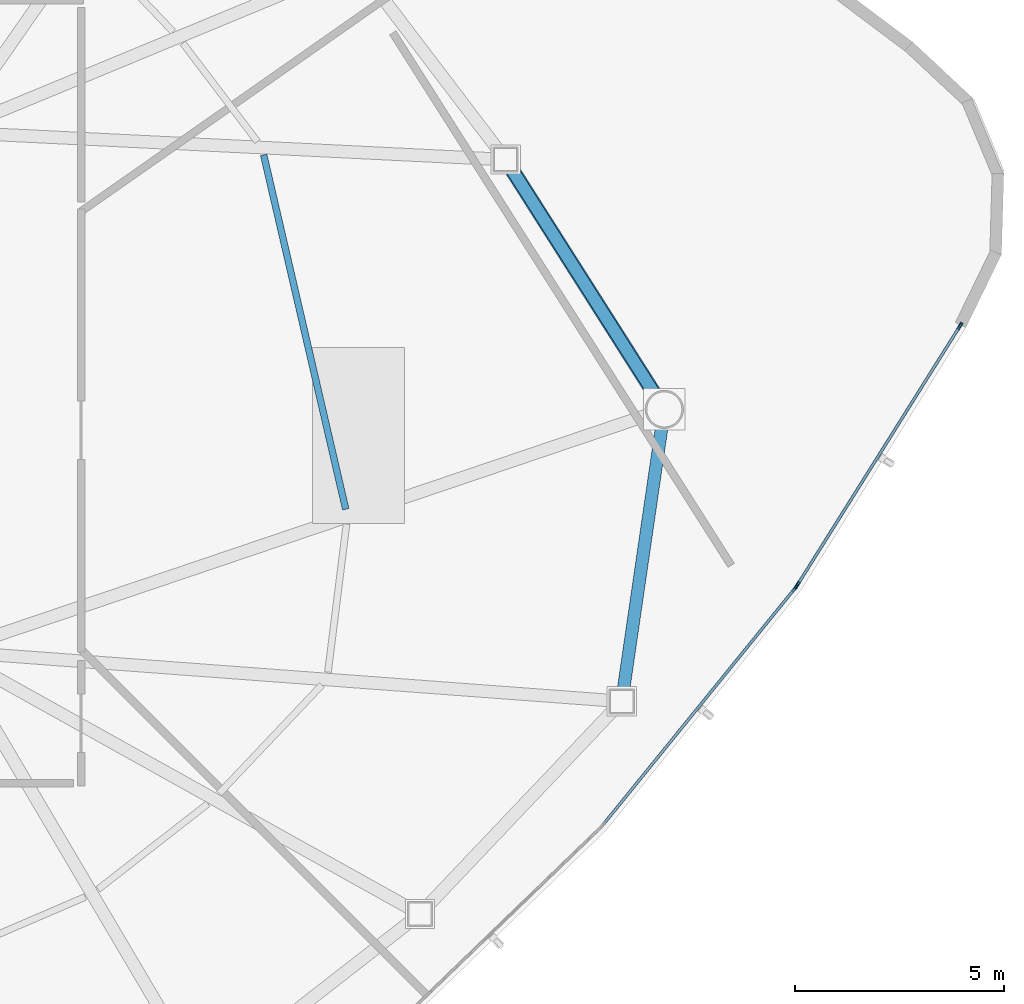
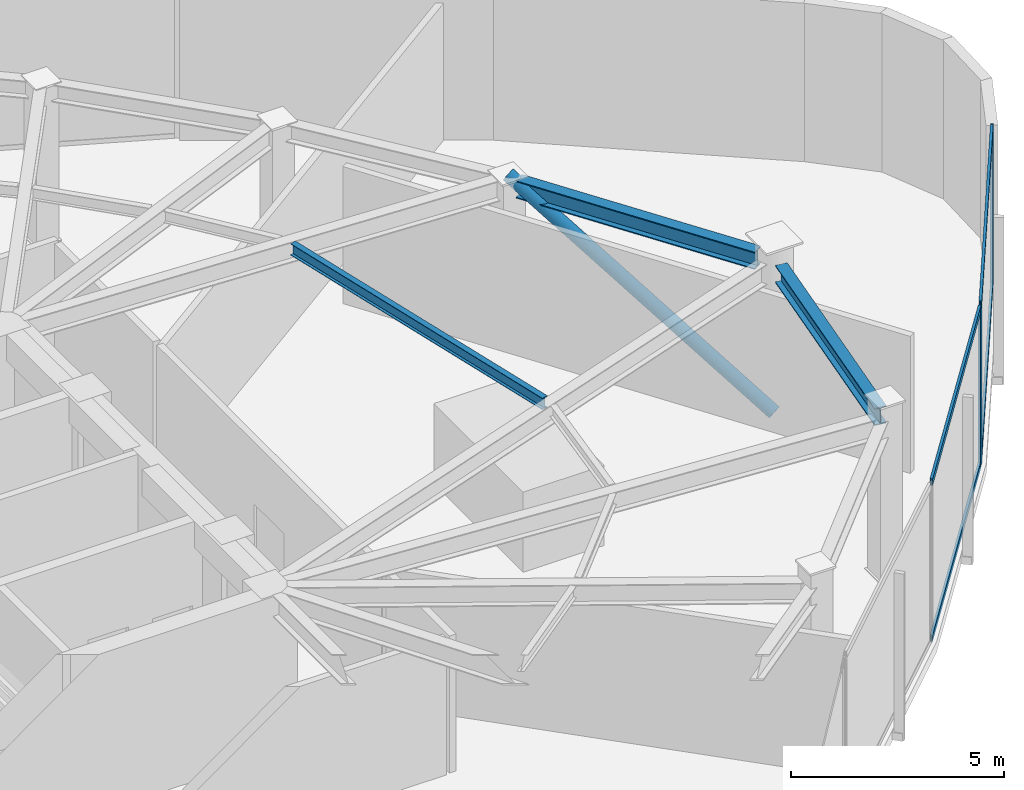
# One storey, part 6 of 17: 8 members, 3 beams, 2 elements without a shape of their own.
"""IFC4 building model written with IfcOpenShell, lengths in metres."""

from ifc_helpers import new_model, si_unit, direction, frame, origin, origin_2d, place, context, subcontext, project, spatial, hollow_rectangle, hollow_circle, i_section, extrude, source, transform, mapped, material, layer, layer_set, material_profile, profile_set, type_object, type_shapes, element, aggregate, save


model = new_model("IFC4")

# Units and contexts
model_context = context("Model", 3, precision=1e-05, world=origin(), true_north=direction((0.0, 1.0)))
body_context = subcontext(model_context, "Body", "Model", "MODEL_VIEW")
ifc_project = project(units=[si_unit("LENGTHUNIT", "METRE"), si_unit("AREAUNIT", "SQUARE_METRE"), si_unit("VOLUMEUNIT", "CUBIC_METRE"), si_unit("PLANEANGLEUNIT", "RADIAN"), si_unit("MASSUNIT", "GRAM", prefix="KILO")], contexts=[model_context])

# Site, building, storey
site_placement = place(None, origin())
site = spatial("IfcSite", under=ifc_project, at=site_placement, CompositionType="ELEMENT")
building_placement = place(site_placement, origin())
building = spatial("IfcBuilding", under=site, at=building_placement, Name="Tavelor Broadcast Tower", CompositionType="ELEMENT")
storey_placement = place(building_placement, frame((0.0, 0.0, 204.14990234375)))
storey = spatial("IfcBuildingStorey", under=building, at=storey_placement, Name="L49", CompositionType="ELEMENT", Elevation=204.14990234375)

# Beams
ifc_material_1 = material(Name="Steel S355", Category="steel")
ifc_material_profile_1 = material_profile(ifc_material_1, i_section(OverallWidth=0.159912109375, OverallDepth=0.330078125, WebThickness=0.007568359375, FlangeThickness=0.011474609375, at=origin_2d()), Name="IPE 330")
ifc_profile_set_1 = profile_set([ifc_material_profile_1], Name="Steel S355")
beam_type_1 = type_object("IfcBeamType", Name="Composite Floor Joist T4 IPE 330", PredefinedType="JOIST", material=ifc_profile_set_1)
beam_1_placement = place(storey_placement, frame((66.069091796875, 42.195068359375, 4.385009765625), z_axis=(-0.225617102792, 0.974216055569, 0.0), x_axis=(-0.974216055569, -0.225617102792, 0.0)))
element("IfcBeam", 1, at=beam_1_placement, inside=storey, type_object=beam_type_1, Name="L49 Secondary Composite Floor Joist 13", PredefinedType="JOIST", context=body_context, shape_type="SweptSolid", body=[
    extrude(i_section(OverallWidth=0.159912109375, OverallDepth=0.330078125, WebThickness=0.007568359375, FlangeThickness=0.011474609375, at=origin_2d()), origin(), (0.0, 0.0, 1.0), 8.683837890625),
])
ifc_material_profile_2 = material_profile(ifc_material_1, i_section(OverallWidth=0.300048828125, OverallDepth=0.5, WebThickness=0.014404296875, FlangeThickness=0.028076171875, at=origin_2d()), Name="HEB 500")
ifc_profile_set_2 = profile_set([ifc_material_profile_2], Name="Steel S355")
beam_type_2 = type_object("IfcBeamType", Name="Perimeter Spandrel Beam T4 HEB 500", PredefinedType="SPANDREL", material=ifc_profile_set_2)
beam_2_placement = place(storey_placement, frame((72.700927734375, 37.892333984375, 4.300048828125), z_axis=(0.144298223799, 0.989534245293, 0.0), x_axis=(-0.989534245293, 0.144298223799, 0.0)))
element("IfcBeam", 2, at=beam_2_placement, inside=storey, type_object=beam_type_2, Name="L49 Framed-Tube Ring Spandrel 12", PredefinedType="SPANDREL", context=body_context, shape_type="SweptSolid", body=[
    extrude(i_section(OverallWidth=0.300048828125, OverallDepth=0.5, WebThickness=0.014404296875, FlangeThickness=0.028076171875, at=origin_2d()), origin(), (0.0, 0.0, 1.0), 6.3193359375),
])
beam_3_placement = place(storey_placement, frame((73.440673828125, 44.94970703125, 4.300048828125), z_axis=(-0.536287336864, 0.844035480486, 0.0), x_axis=(-0.844035480486, -0.536287336864, 0.0)))
element("IfcBeam", 3, at=beam_3_placement, inside=storey, type_object=beam_type_2, Name="L49 Framed-Tube Ring Spandrel 13", PredefinedType="SPANDREL", context=body_context, shape_type="SweptSolid", body=[
    extrude(i_section(OverallWidth=0.300048828125, OverallDepth=0.5, WebThickness=0.014404296875, FlangeThickness=0.028076171875, at=origin_2d()), origin(), (0.0, 0.0, 1.0), 6.340087890625),
])

# Member
ifc_material_profile_3 = material_profile(ifc_material_1, hollow_circle(Radius=0.177734375, WallThickness=0.01611328125, at=origin_2d()), Name="CHS 355.6x16")
ifc_profile_set_3 = profile_set([ifc_material_profile_3], Name="Steel S355")
member_type_1 = type_object("IfcMemberType", Name="Perimeter Tube Brace T4 CHS 355.6x16", PredefinedType="BRACE", material=ifc_profile_set_3)
member_1_placement = place(storey_placement, frame((73.676025390625, 44.57958984375, 0.0), z_axis=(-0.450927471145, 0.709650157661, 0.541351151747), x_axis=(-0.844021198089, -0.536309814544, 0.0)))
element("IfcMember", 4, at=member_1_placement, inside=storey, type_object=member_type_1, Name="L49 Corner Tube Diagonal Brace 1", PredefinedType="BRACE", context=body_context, shape_type="SweptSolid", body=[
    extrude(hollow_circle(Radius=0.177734375, WallThickness=0.01611328125, at=origin_2d()), origin(), (0.0, 0.0, 1.0), 8.405029296875),
])

# Curtain wall, member
ifc_material_2 = material(Name="Architectural Anodized Aluminium", Category="aluminium")
ifc_layer = layer(ifc_material_2, 0.18994140625)
ifc_layer_set = layer_set([ifc_layer], Name="Architectural Anodized Aluminium")
curtain_wall_type = type_object("IfcCurtainWallType", Name="Tower Mid-Zone Acoustic Curtain Wall CW03", PredefinedType="NOTDEFINED", material=ifc_layer_set)
curtain_wall_1_placement = place(storey_placement, origin())
curtain_wall_1 = element("IfcCurtainWall", 5, at=curtain_wall_1_placement, inside=storey, type_object=curtain_wall_type, Name="L49 Curtain Wall CW03 Run 535", PredefinedType="NOTDEFINED")
ifc_material_profile_4 = material_profile(ifc_material_2, hollow_rectangle(XDim=0.068115234375, YDim=0.18994140625, WallThickness=0.02197265625, at=origin_2d()), Name="RHS 68x190x22")
ifc_profile_set_4 = profile_set([ifc_material_profile_4], Name="Architectural Anodized Aluminium")
member_type_2 = type_object("IfcMemberType", Name="CW03 Extruded Aluminium Mullion 68x190", PredefinedType="MULLION", material=ifc_profile_set_4)
shared_shape_1 = source(origin(), body_context, "Body", "SweptSolid", [
    extrude(hollow_rectangle(XDim=0.068115234375, YDim=0.18994140625, WallThickness=0.02197265625, at=origin_2d()), origin(), (0.0, 0.0, 1.0), 4.550048828125),
])
type_shapes(member_type_2, [shared_shape_1])
member_2_placement = place(storey_placement, frame((76.79443359375, 40.3046875, 0.0), z_axis=(0.0, 0.0, 1.0), x_axis=(-0.776325617953, 0.630332083041, 0.0)))
member_2 = element("IfcMember", 6, at=member_2_placement, type_object=member_type_2, Name="CW03 mullion 2", PredefinedType="MULLION", context=body_context, shape_type="MappedRepresentation", body=[
    mapped(shared_shape_1, transform((0.0, 0.0, 0.0), scale=1.0)),
])

# Curtain wall, members
curtain_wall_2_placement = place(storey_placement, origin())
curtain_wall_2 = element("IfcCurtainWall", 7, at=curtain_wall_2_placement, inside=storey, type_object=curtain_wall_type, Name="L49 Curtain Wall CW03 Run 536", PredefinedType="NOTDEFINED")
member_3_placement = place(storey_placement, frame((76.851318359375, 40.38427734375, 0.0), z_axis=(0.0, 0.0, 1.0), x_axis=(-0.846901354545, 0.531750031189, 0.0)))
member_3 = element("IfcMember", 8, at=member_3_placement, type_object=member_type_2, Name="CW03 mullion 1", PredefinedType="MULLION", context=body_context, shape_type="MappedRepresentation", body=[
    mapped(shared_shape_1, transform((0.0, 0.0, 0.0), scale=1.0)),
])
member_4_placement = place(storey_placement, frame((80.735107421875, 46.56982421875, 0.0), z_axis=(0.0, 0.0, 1.0), x_axis=(-0.846901354545, 0.531750031189, 0.0)))
member_4 = element("IfcMember", 9, at=member_4_placement, type_object=member_type_2, Name="CW03 mullion 2", PredefinedType="MULLION", context=body_context, shape_type="MappedRepresentation", body=[
    mapped(shared_shape_1, transform((0.0, 0.0, 0.0), scale=1.0)),
])

# Member
ifc_material_profile_5 = material_profile(ifc_material_2, hollow_rectangle(XDim=0.068115234375, YDim=0.18994140625, WallThickness=0.02197265625, at=origin_2d()), Name="RHS 68x190x22")
ifc_profile_set_5 = profile_set([ifc_material_profile_5], Name="Architectural Anodized Aluminium")
member_type_3 = type_object("IfcMemberType", Name="CW03 Extruded Aluminium Transom 68x190", PredefinedType="USERDEFINED", material=ifc_profile_set_5)
shared_shape_2 = source(origin(), body_context, "Body", "SweptSolid", [
    extrude(hollow_rectangle(XDim=0.068115234375, YDim=0.18994140625, WallThickness=0.02197265625, at=origin_2d()), origin(), (0.0, 0.0, 1.0), 7.2197265625),
])
member_5_placement = place(storey_placement, frame((72.22216796875, 34.67333984375, 0.0341796875), z_axis=(0.630320152995, 0.776335304317, 0.0), x_axis=(-0.776335304317, 0.630320152995, 0.0)))
member_5 = element("IfcMember", 10, at=member_5_placement, type_object=member_type_3, Name="CW03 transom 1.1", ObjectType="TRANSOM", PredefinedType="USERDEFINED", context=body_context, shape_type="MappedRepresentation", body=[
    mapped(shared_shape_2, transform((0.0, 0.0, 0.0), scale=1.0)),
])

member_6_placement = place(storey_placement, frame((72.22216796875, 34.67333984375, 4.51611328125), z_axis=(0.630320152995, 0.776335304317, 0.0), x_axis=(-0.776335304317, 0.630320152995, 0.0)))
member_6 = element("IfcMember", 11, at=member_6_placement, type_object=member_type_3, Name="CW03 transom 1.2", ObjectType="TRANSOM", PredefinedType="USERDEFINED", context=body_context, shape_type="MappedRepresentation", body=[
    mapped(shared_shape_2, transform((0.0, 0.0, 0.0), scale=1.0)),
])

aggregate(curtain_wall_1, [member_2, member_5, member_6])

shared_shape_3 = source(origin(), body_context, "Body", "SweptSolid", [
    extrude(hollow_rectangle(XDim=0.068115234375, YDim=0.18994140625, WallThickness=0.02197265625, at=origin_2d()), origin(), (0.0, 0.0, 1.0), 7.23583984375),
])
type_shapes(member_type_3, [shared_shape_2, shared_shape_3])
member_7_placement = place(storey_placement, frame((76.869384765625, 40.4130859375, 0.0341796875), z_axis=(0.53175687679, 0.84689705631, 0.0), x_axis=(-0.84689705631, 0.53175687679, 0.0)))
member_7 = element("IfcMember", 12, at=member_7_placement, type_object=member_type_3, Name="CW03 transom 1.1", ObjectType="TRANSOM", PredefinedType="USERDEFINED", context=body_context, shape_type="MappedRepresentation", body=[
    mapped(shared_shape_3, transform((0.0, 0.0, 0.0), scale=1.0)),
])

member_8_placement = place(storey_placement, frame((76.869384765625, 40.4130859375, 4.51611328125), z_axis=(0.53175687679, 0.84689705631, 0.0), x_axis=(-0.84689705631, 0.53175687679, 0.0)))
member_8 = element("IfcMember", 13, at=member_8_placement, type_object=member_type_3, Name="CW03 transom 1.2", ObjectType="TRANSOM", PredefinedType="USERDEFINED", context=body_context, shape_type="MappedRepresentation", body=[
    mapped(shared_shape_3, transform((0.0, 0.0, 0.0), scale=1.0)),
])

aggregate(curtain_wall_2, [member_3, member_4, member_7, member_8])

save(model, "model.ifc")
